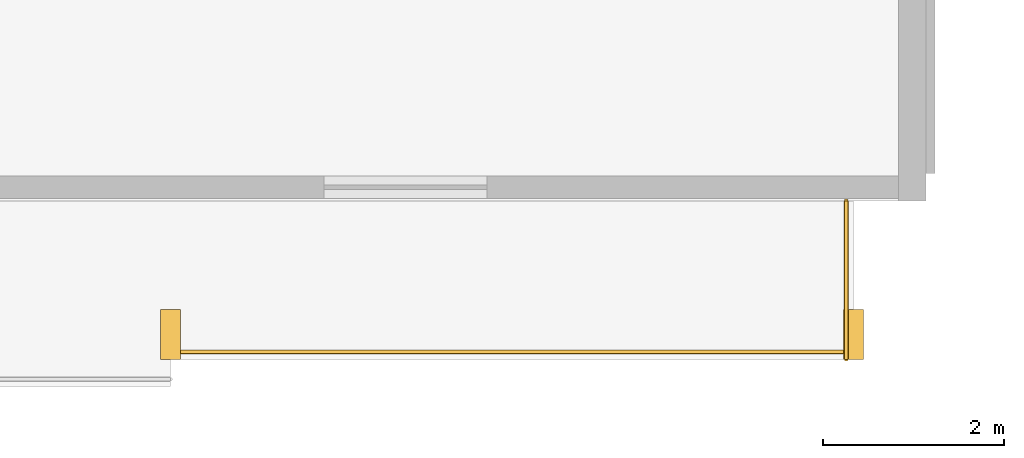
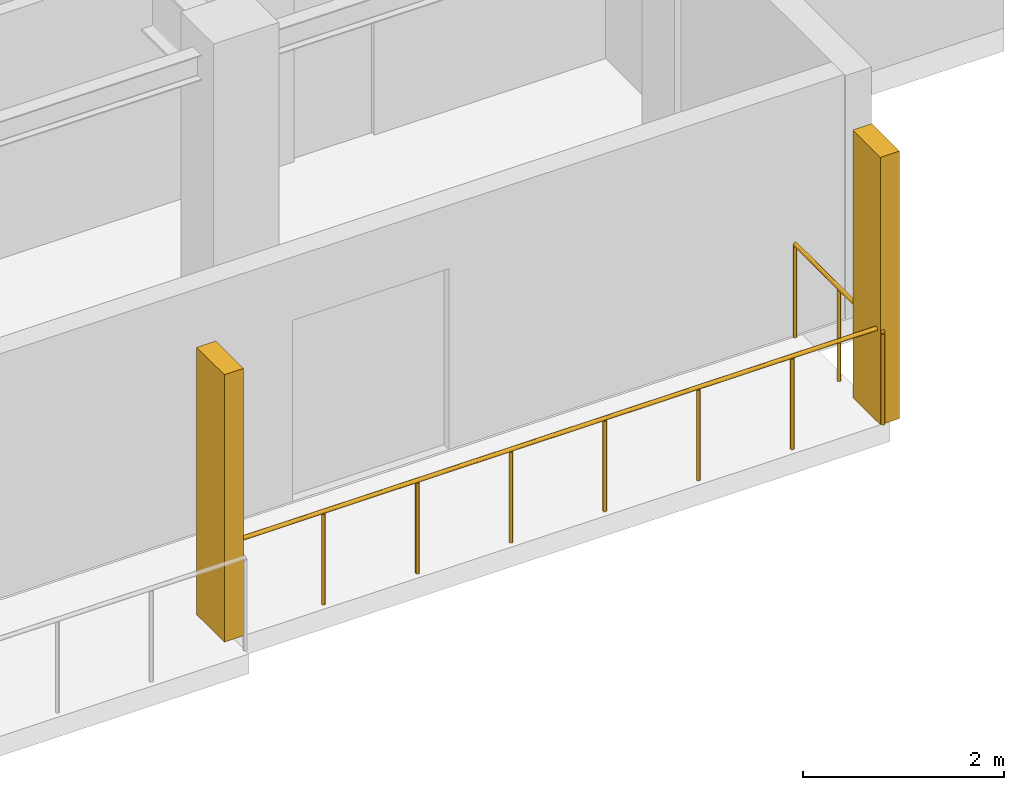
# One storey, part 19 of 21: 2 railings, 2 shading devices.
"""IFC4 building model written with IfcOpenShell, lengths in metres."""

from ifc_helpers import new_model, si_unit, direction, frame, origin, origin_2d, place, context, subcontext, project, spatial, rectangle, circle, extrude, material, type_object, element, save


model = new_model("IFC4")

# Units and contexts
model_context = context("Model", 3, precision=1e-05, world=origin(), true_north=direction((0.0, 1.0)))
body_context = subcontext(model_context, "Body", "Model", "MODEL_VIEW")
ifc_project = project(units=[si_unit("LENGTHUNIT", "METRE"), si_unit("AREAUNIT", "SQUARE_METRE"), si_unit("VOLUMEUNIT", "CUBIC_METRE"), si_unit("PLANEANGLEUNIT", "RADIAN"), si_unit("MASSUNIT", "GRAM", prefix="KILO")], contexts=[model_context])

# Site, building, storey
site_placement = place(None, origin())
site = spatial("IfcSite", under=ifc_project, at=site_placement, CompositionType="ELEMENT")
building_placement = place(site_placement, origin())
building = spatial("IfcBuilding", under=site, at=building_placement, Name="Korimba Cascade Residences", CompositionType="ELEMENT")
storey_placement = place(building_placement, frame((0.0, 0.0, 188.10009765625)))
storey = spatial("IfcBuildingStorey", under=building, at=storey_placement, Name="L54", CompositionType="ELEMENT", Elevation=188.10009765625)

# Railings
ifc_material_1 = material(Name="Laminated Glass and Bronze Balustrade", Category="glass")
railing_type = type_object("IfcRailingType", Name="RLG-LOG-1150", PredefinedType="BALUSTRADE", material=ifc_material_1)
railing_1_placement = place(storey_placement, frame((120.55712890625, -9.469970703125, 0.0)))
element("IfcRailing", 1, at=railing_1_placement, inside=storey, type_object=railing_type, Name="L54 Perimeter Guardrail RLG-L54-T2-LOG-06", PredefinedType="BALUSTRADE", context=body_context, shape_type="SweptSolid", body=[
    extrude(circle(Radius=0.02392578125, at=origin_2d()), frame((0.0, 0.0, 1.1259765625), z_axis=(1.0, 0.0, 0.0), x_axis=(0.0, 1.0, 0.0)), (0.0, 0.0, 1.0), 7.54296875),
    extrude(circle(Radius=0.02099609375, at=origin_2d()), origin(), (0.0, 0.0, 1.0), 1.101806640625),
    extrude(circle(Radius=0.02099609375, at=origin_2d()), frame((1.07763671875, 0.0, 0.0)), (0.0, 0.0, 1.0), 1.101806640625),
    extrude(circle(Radius=0.02099609375, at=origin_2d()), frame((2.155029296875, 0.0, 0.0)), (0.0, 0.0, 1.0), 1.101806640625),
    extrude(circle(Radius=0.02099609375, at=origin_2d()), frame((3.232666015625, 0.0, 0.0)), (0.0, 0.0, 1.0), 1.101806640625),
    extrude(circle(Radius=0.02099609375, at=origin_2d()), frame((4.310302734375, 0.0, 0.0)), (0.0, 0.0, 1.0), 1.101806640625),
    extrude(circle(Radius=0.02099609375, at=origin_2d()), frame((5.387939453125, 0.0, 0.0)), (0.0, 0.0, 1.0), 1.101806640625),
    extrude(circle(Radius=0.02099609375, at=origin_2d()), frame((6.46533203125, 0.0, 0.0)), (0.0, 0.0, 1.0), 1.101806640625),
    extrude(circle(Radius=0.02099609375, at=origin_2d()), frame((7.54296875, 0.0, 0.0)), (0.0, 0.0, 1.0), 1.101806640625),
])
railing_2_placement = place(storey_placement, frame((128.02001953125, -9.550048828125, 0.0)))
element("IfcRailing", 2, at=railing_2_placement, inside=storey, type_object=railing_type, Name="L54 Perimeter Guardrail RLG-L54-T2-LOG-07", PredefinedType="BALUSTRADE", context=body_context, shape_type="SweptSolid", body=[
    extrude(circle(Radius=0.02392578125, at=origin_2d()), frame((0.0, 0.0, 1.1259765625), z_axis=(0.0, 1.0, 0.0), x_axis=(-1.0, 0.0, 0.0)), (0.0, 0.0, 1.0), 1.75),
    extrude(circle(Radius=0.02099609375, at=origin_2d()), origin(), (0.0, 0.0, 1.0), 1.101806640625),
    extrude(circle(Radius=0.02099609375, at=origin_2d()), frame((0.0, 0.875, 0.0)), (0.0, 0.0, 1.0), 1.101806640625),
    extrude(circle(Radius=0.02099609375, at=origin_2d()), frame((0.0, 1.75, 0.0)), (0.0, 0.0, 1.0), 1.101806640625),
])

# Shading devices
ifc_material_2 = material(Name="Honed Sandstone Precast Fin", Category="masonry")
shading_device_type = type_object("IfcShadingDeviceType", Name="SHD-FIN-550", PredefinedType="USERDEFINED", material=ifc_material_2)
for number, where, z_axis, x_axis, name in (
    (3, (120.55712890625, -9.27490234375, 0.0), (0.0, 0.0, 1.0), (1.0, 0.0, 0.0), "L54 T2 Warm-Stone Loggia Fin 7"),
    (4, (128.10009765625, -9.27490234375, 0.0), (0.0, 0.0, 1.0), (1.0, 0.0, 0.0), "L54 T2 Warm-Stone Loggia Fin 8"),
):
    element("IfcShadingDevice", number, at=place(storey_placement, frame(where, z_axis=z_axis, x_axis=x_axis)), inside=storey, type_object=shading_device_type, Name=name, ObjectType="FIN", PredefinedType="USERDEFINED", context=body_context, shape_type="SweptSolid", body=[
        extrude(rectangle(XDim=0.219970703125, YDim=0.550048828125, at=origin_2d()), origin(), (0.0, 0.0, 1.0), 3.25),
    ])

save(model, "model.ifc")
